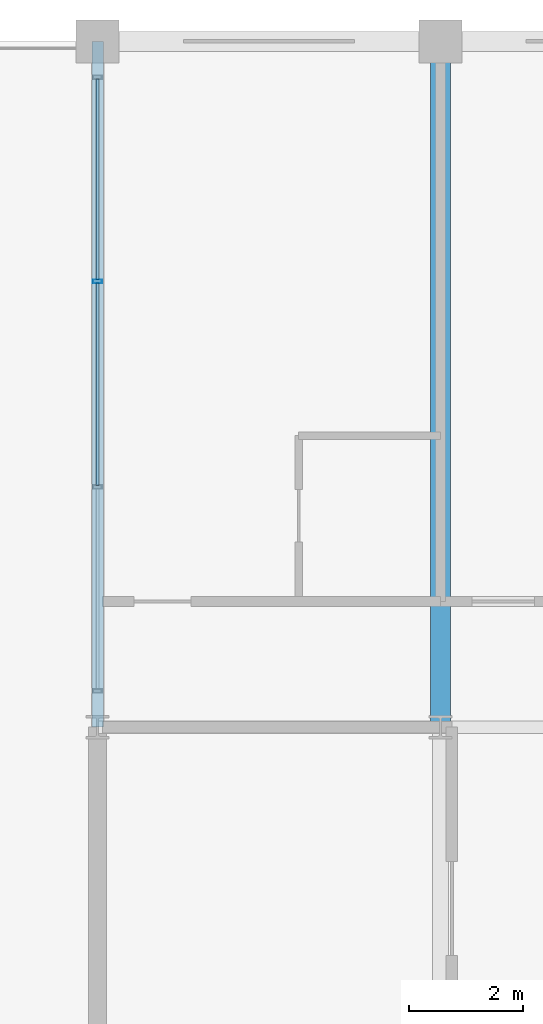
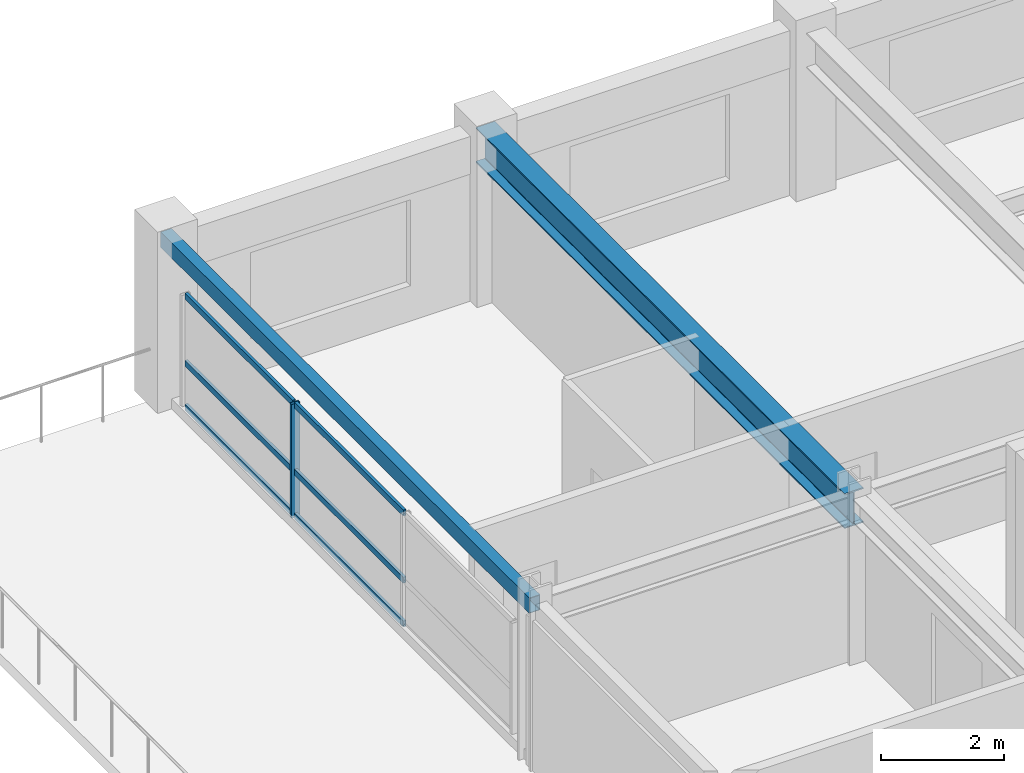
# One storey, part 8 of 21: 7 members, 2 beams, 1 element without a shape of its own.
"""IFC4 building model written with IfcOpenShell, lengths in metres."""

from ifc_helpers import new_model, si_unit, direction, frame, origin, origin_2d, place, context, subcontext, project, spatial, hollow_rectangle, i_section, extrude, material, material_profile, profile_set, type_object, element, aggregate, save


model = new_model("IFC4")

# Units and contexts
model_context = context("Model", 3, precision=1e-05, world=origin(), true_north=direction((0.0, 1.0)))
body_context = subcontext(model_context, "Body", "Model", "MODEL_VIEW")
ifc_project = project(units=[si_unit("LENGTHUNIT", "METRE"), si_unit("AREAUNIT", "SQUARE_METRE"), si_unit("VOLUMEUNIT", "CUBIC_METRE"), si_unit("PLANEANGLEUNIT", "RADIAN"), si_unit("MASSUNIT", "GRAM", prefix="KILO")], contexts=[model_context])

# Site, building, storey
site_placement = place(None, origin())
site = spatial("IfcSite", under=ifc_project, at=site_placement, CompositionType="ELEMENT")
building_placement = place(site_placement, origin())
building = spatial("IfcBuilding", under=site, at=building_placement, Name="Kaldorvane Square Convention Centre", CompositionType="ELEMENT")
storey_placement = place(building_placement, frame((0.0, 0.0, 49.19999694824219)))
storey = spatial("IfcBuildingStorey", under=building, at=storey_placement, Name="L11", CompositionType="ELEMENT", Elevation=49.19999694824219)

# Beams
ifc_material_1 = material(Name="Steel ASTM A992 Gr. 50", Category="steel")
ifc_material_profile_1 = material_profile(ifc_material_1, i_section(OverallWidth=0.354705810546875, OverallDepth=0.69549560546875, WebThickness=0.0153961181640625, FlangeThickness=0.0251007080078125, FilletRadius=0.01519775390625, at=origin_2d()), Name="W27X146")
ifc_profile_set_1 = profile_set([ifc_material_profile_1], Name="Steel ASTM A992 Gr. 50")
beam_type_1 = type_object("IfcBeamType", Name="BM-GR-W27X146", PredefinedType="BEAM", material=ifc_profile_set_1)
beam_1_placement = place(storey_placement, frame((36.0, 105.0, 2.9383087158203125), z_axis=(0.0, 1.0, 0.0), x_axis=(-1.0, 0.0, 0.0)))
element("IfcBeam", 1, at=beam_1_placement, inside=storey, type_object=beam_type_1, Name="Transverse Girder (L11)", PredefinedType="BEAM", context=body_context, shape_type="SweptSolid", body=[
    extrude(i_section(OverallWidth=0.354705810546875, OverallDepth=0.69549560546875, WebThickness=0.0153961181640625, FlangeThickness=0.0251007080078125, FilletRadius=0.01519775390625, at=origin_2d()), origin(), (0.0, 0.0, 1.0), 12.0),
])
ifc_material_2 = material(Name="Steel ASTM A500 Gr. C", Category="steel")
ifc_material_profile_2 = material_profile(ifc_material_2, hollow_rectangle(XDim=0.2032012939453125, YDim=0.3047943115234375, WallThickness=0.0088958740234375, at=origin_2d()), Name="HSS12X8X3/8")
ifc_profile_set_2 = profile_set([ifc_material_profile_2], Name="Steel ASTM A500 Gr. C")
beam_type_2 = type_object("IfcBeamType", Name="BM-SP-HSS12", PredefinedType="SPANDREL", material=ifc_profile_set_2)
beam_2_placement = place(storey_placement, frame((30.0, 105.0, 3.13360595703125), z_axis=(0.0, 1.0, 0.0), x_axis=(-1.0, 0.0, 0.0)))
element("IfcBeam", 2, at=beam_2_placement, inside=storey, type_object=beam_type_2, Name="End Spandrel (L11)", PredefinedType="SPANDREL", context=body_context, shape_type="SweptSolid", body=[
    extrude(hollow_rectangle(XDim=0.2032012939453125, YDim=0.3047943115234375, WallThickness=0.0088958740234375, at=origin_2d()), origin(), (0.0, 0.0, 1.0), 12.0),
])

# Curtain wall, members
ifc_material_3 = material(Name="Anodized Aluminum and Low-E Insulated Glazing", Category="aluminium")
curtain_wall_type = type_object("IfcCurtainWallType", Name="CW-UNI-HTL-B", PredefinedType="USERDEFINED", material=ifc_material_3)
curtain_wall_placement = place(storey_placement, origin())
curtain_wall = element("IfcCurtainWall", 3, at=curtain_wall_placement, inside=storey, type_object=curtain_wall_type, Name="Curtain Wall CW-11 (L11)", ObjectType="UNITISED GLAZING", PredefinedType="USERDEFINED")
ifc_material_profile_3 = material_profile(ifc_material_3, hollow_rectangle(XDim=0.05999755859375, YDim=0.160003662109375, WallThickness=0.003204345703125, at=origin_2d()), Name="CWM-160X60")
ifc_profile_set_3 = profile_set([ifc_material_profile_3], Name="Anodized Aluminum and Low-E Insulated Glazing")
member_type_1 = type_object("IfcMemberType", Name="CW-MUL-160", PredefinedType="MULLION", material=ifc_profile_set_3)
member_1_placement = place(storey_placement, frame((30.0, 112.80000305175781, 0.1500091552734375), z_axis=(0.0, 0.0, 1.0), x_axis=(0.0, -1.0, 0.0)))
member_1 = element("IfcMember", 4, at=member_1_placement, type_object=member_type_1, Name="CW-11 mullion 2", PredefinedType="MULLION", context=body_context, shape_type="SweptSolid", body=[
    extrude(hollow_rectangle(XDim=0.05999755859375, YDim=0.160003662109375, WallThickness=0.003204345703125, at=origin_2d()), origin(), (0.0, 0.0, 1.0), 2.2599945068359375),
])
ifc_material_profile_4 = material_profile(ifc_material_3, hollow_rectangle(XDim=0.05499267578125, YDim=0.1199951171875, WallThickness=0.0030059814453125, at=origin_2d()), Name="CWT-120X55")
ifc_profile_set_4 = profile_set([ifc_material_profile_4], Name="Anodized Aluminum and Low-E Insulated Glazing")
member_type_2 = type_object("IfcMemberType", Name="CW-TRN-120", PredefinedType="USERDEFINED", material=ifc_profile_set_4)
member_2_placement = place(storey_placement, frame((30.0, 116.33999633789062, 0.1775054931640625), z_axis=(0.0, -1.0, 0.0), x_axis=(1.0, 0.0, 0.0)))
member_2 = element("IfcMember", 5, at=member_2_placement, type_object=member_type_2, Name="CW-11 transom 1.1", ObjectType="TRANSOM", PredefinedType="USERDEFINED", context=body_context, shape_type="SweptSolid", body=[
    extrude(hollow_rectangle(XDim=0.05499267578125, YDim=0.1199951171875, WallThickness=0.0030059814453125, at=origin_2d()), origin(), (0.0, 0.0, 1.0), 3.5099945068359375),
])
member_3_placement = place(storey_placement, frame((30.0, 116.33999633789062, 1.0500030517578125), z_axis=(0.0, -1.0, 0.0), x_axis=(1.0, 0.0, 0.0)))
member_3 = element("IfcMember", 6, at=member_3_placement, type_object=member_type_2, Name="CW-11 transom 1.2", ObjectType="TRANSOM", PredefinedType="USERDEFINED", context=body_context, shape_type="SweptSolid", body=[
    extrude(hollow_rectangle(XDim=0.05499267578125, YDim=0.1199951171875, WallThickness=0.0030059814453125, at=origin_2d()), origin(), (0.0, 0.0, 1.0), 3.5099945068359375),
])
member_4_placement = place(storey_placement, frame((30.0, 116.33999633789062, 2.38250732421875), z_axis=(0.0, -1.0, 0.0), x_axis=(1.0, 0.0, 0.0)))
member_4 = element("IfcMember", 7, at=member_4_placement, type_object=member_type_2, Name="CW-11 transom 1.3", ObjectType="TRANSOM", PredefinedType="USERDEFINED", context=body_context, shape_type="SweptSolid", body=[
    extrude(hollow_rectangle(XDim=0.05499267578125, YDim=0.1199951171875, WallThickness=0.0030059814453125, at=origin_2d()), origin(), (0.0, 0.0, 1.0), 3.5099945068359375),
])
member_5_placement = place(storey_placement, frame((30.0, 112.77000427246094, 0.1775054931640625), z_axis=(0.0, -1.0, 0.0), x_axis=(1.0, 0.0, 0.0)))
member_5 = element("IfcMember", 8, at=member_5_placement, type_object=member_type_2, Name="CW-11 transom 2.1", ObjectType="TRANSOM", PredefinedType="USERDEFINED", context=body_context, shape_type="SweptSolid", body=[
    extrude(hollow_rectangle(XDim=0.05499267578125, YDim=0.1199951171875, WallThickness=0.0030059814453125, at=origin_2d()), origin(), (0.0, 0.0, 1.0), 3.540008544921875),
])
member_6_placement = place(storey_placement, frame((30.0, 112.77000427246094, 1.0500030517578125), z_axis=(0.0, -1.0, 0.0), x_axis=(1.0, 0.0, 0.0)))
member_6 = element("IfcMember", 9, at=member_6_placement, type_object=member_type_2, Name="CW-11 transom 2.2", ObjectType="TRANSOM", PredefinedType="USERDEFINED", context=body_context, shape_type="SweptSolid", body=[
    extrude(hollow_rectangle(XDim=0.05499267578125, YDim=0.1199951171875, WallThickness=0.0030059814453125, at=origin_2d()), origin(), (0.0, 0.0, 1.0), 3.540008544921875),
])
member_7_placement = place(storey_placement, frame((30.0, 112.77000427246094, 2.38250732421875), z_axis=(0.0, -1.0, 0.0), x_axis=(1.0, 0.0, 0.0)))
member_7 = element("IfcMember", 10, at=member_7_placement, type_object=member_type_2, Name="CW-11 transom 2.3", ObjectType="TRANSOM", PredefinedType="USERDEFINED", context=body_context, shape_type="SweptSolid", body=[
    extrude(hollow_rectangle(XDim=0.05499267578125, YDim=0.1199951171875, WallThickness=0.0030059814453125, at=origin_2d()), origin(), (0.0, 0.0, 1.0), 3.540008544921875),
])
aggregate(curtain_wall, [member_1, member_2, member_3, member_4, member_5, member_6, member_7])

save(model, "model.ifc")
